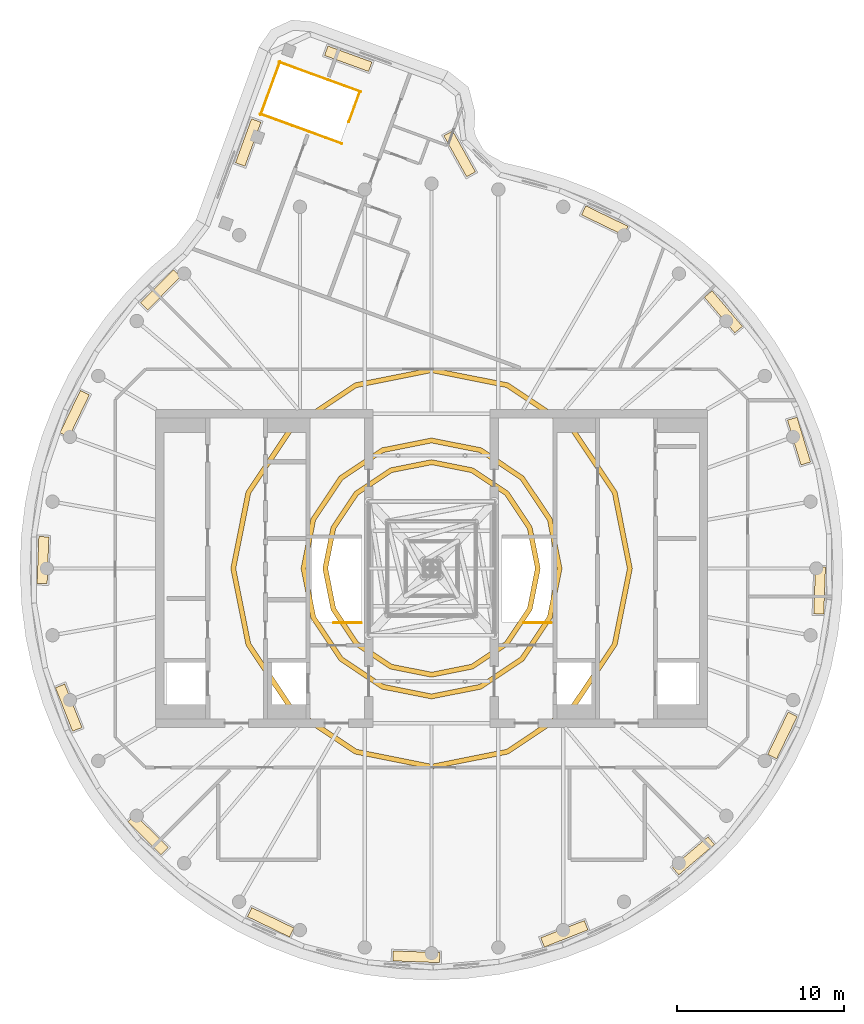
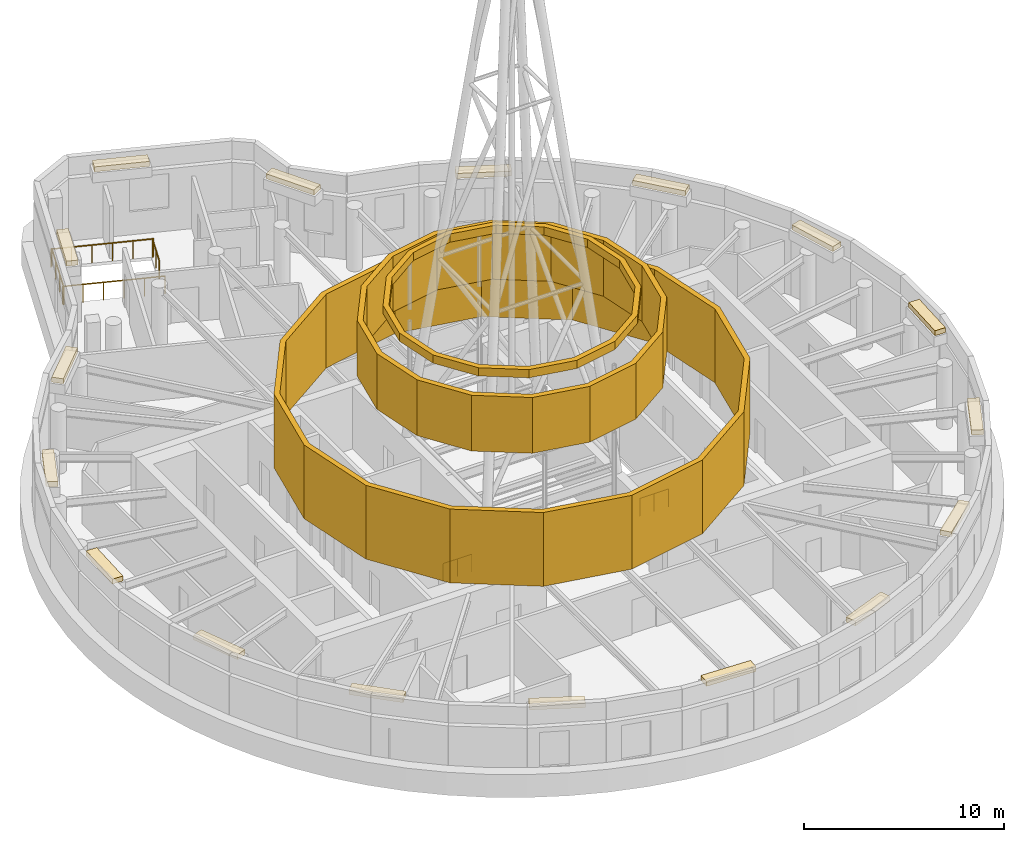
# One storey, part 16 of 17: 20 coverings, 6 railings.
"""IFC4 building model written with IfcOpenShell, lengths in metres."""

from ifc_helpers import new_model, si_unit, direction, frame, origin, origin_2d, place, context, subcontext, project, spatial, polyline, rectangle, circle, outline, extrude, material, layer, layer_set, type_object, element, save


model = new_model("IFC4")

# Units and contexts
model_context = context("Model", 3, precision=1e-05, world=origin(), true_north=direction((0.0, 1.0)))
body_context = subcontext(model_context, "Body", "Model", "MODEL_VIEW")
ifc_project = project(units=[si_unit("LENGTHUNIT", "METRE"), si_unit("AREAUNIT", "SQUARE_METRE"), si_unit("VOLUMEUNIT", "CUBIC_METRE"), si_unit("PLANEANGLEUNIT", "RADIAN"), si_unit("MASSUNIT", "GRAM", prefix="KILO")], contexts=[model_context])

# Site, building, storey
site_placement = place(None, origin())
site = spatial("IfcSite", under=ifc_project, at=site_placement, CompositionType="ELEMENT")
building_placement = place(site_placement, origin())
building = spatial("IfcBuilding", under=site, at=building_placement, Name="Tamarind Cross Interchange Tower", CompositionType="ELEMENT")
storey_placement = place(building_placement, frame((0.0, 0.0, 325.39990234375)))
storey = spatial("IfcBuildingStorey", under=building, at=storey_placement, Name="L80", CompositionType="ELEMENT", Elevation=325.39990234375)

# Coverings
ifc_material_1 = material(Name="Terracotta baguette cladding", Category="masonry")
ifc_layer = layer(ifc_material_1, 0.300048828125)
ifc_layer_set = layer_set([ifc_layer], Name="Terracotta baguette cladding")
covering_type_1 = type_object("IfcCoveringType", Name="Crown lantern screen", PredefinedType="CLADDING", material=ifc_layer_set)
covering_1_placement = place(storey_placement, frame((0.0, 0.0, 4.0)))
element("IfcCovering", 1, at=covering_1_placement, inside=storey, type_object=covering_type_1, Name="LNT-L80-OUT", PredefinedType="CLADDING", context=body_context, shape_type="SweptSolid", body=[
    extrude(outline(polyline([(12.0, 0.0), (11.086669921875, 4.59228515625), (8.4853515625, 8.4853515625), (4.59228515625, 11.086669921875), (0.0, 12.0), (-4.59228515625, 11.086669921875), (-8.4853515625, 8.4853515625), (-11.086669921875, 4.59228515625), (-12.0, 0.0), (-11.086669921875, -4.59228515625), (-8.4853515625, -8.4853515625), (-4.59228515625, -11.086669921875), (0.0, -12.0), (4.59228515625, -11.086669921875), (8.4853515625, -8.4853515625), (11.086669921875, -4.59228515625), (12.0, 0.0)]), holes=[polyline([(11.699951171875, 0.0), (10.809326171875, 4.477294921875), (8.273193359375, 8.273193359375), (4.477294921875, 10.809326171875), (0.0, 11.699951171875), (-4.477294921875, 10.809326171875), (-8.273193359375, 8.273193359375), (-10.809326171875, 4.477294921875), (-11.699951171875, 0.0), (-10.809326171875, -4.477294921875), (-8.273193359375, -8.273193359375), (-4.477294921875, -10.809326171875), (0.0, -11.699951171875), (4.477294921875, -10.809326171875), (8.273193359375, -8.273193359375), (10.809326171875, -4.477294921875), (11.699951171875, 0.0)])]), origin(), (0.0, 0.0, 1.0), 4.5),
])
covering_2_placement = place(storey_placement, frame((0.0, 0.0, 9.2001953125)))
element("IfcCovering", 2, at=covering_2_placement, inside=storey, type_object=covering_type_1, Name="LNT-L80-IN", PredefinedType="CLADDING", context=body_context, shape_type="SweptSolid", body=[
    extrude(outline(polyline([(7.800048828125, 0.0), (7.206298828125, 2.98486328125), (5.515380859375, 5.515380859375), (2.98486328125, 7.206298828125), (0.0, 7.800048828125), (-2.98486328125, 7.206298828125), (-5.515380859375, 5.515380859375), (-7.206298828125, 2.98486328125), (-7.800048828125, 0.0), (-7.206298828125, -2.98486328125), (-5.515380859375, -5.515380859375), (-2.98486328125, -7.206298828125), (0.0, -7.800048828125), (2.98486328125, -7.206298828125), (5.515380859375, -5.515380859375), (7.206298828125, -2.98486328125), (7.800048828125, 0.0)]), holes=[polyline([(7.5, 0.0), (6.92919921875, 2.8701171875), (5.30322265625, 5.30322265625), (2.8701171875, 6.92919921875), (0.0, 7.5), (-2.8701171875, 6.92919921875), (-5.30322265625, 5.30322265625), (-6.92919921875, 2.8701171875), (-7.5, 0.0), (-6.92919921875, -2.8701171875), (-5.30322265625, -5.30322265625), (-2.8701171875, -6.92919921875), (0.0, -7.5), (2.8701171875, -6.92919921875), (5.30322265625, -5.30322265625), (6.92919921875, -2.8701171875), (7.5, 0.0)])]), origin(), (0.0, 0.0, 1.0), 3.39990234375),
])
covering_3_placement = place(storey_placement, frame((0.0, 0.0, 12.900146484375)))
element("IfcCovering", 3, at=covering_3_placement, inside=storey, type_object=covering_type_1, Name="LNT-L80-COL", PredefinedType="CLADDING", context=body_context, shape_type="SweptSolid", body=[
    extrude(outline(polyline([(6.5, 0.0), (6.005126953125, 2.4873046875), (4.59619140625, 4.59619140625), (2.4873046875, 6.005126953125), (0.0, 6.5), (-2.4873046875, 6.005126953125), (-4.59619140625, 4.59619140625), (-6.005126953125, 2.4873046875), (-6.5, 0.0), (-6.005126953125, -2.4873046875), (-4.59619140625, -4.59619140625), (-2.4873046875, -6.005126953125), (0.0, -6.5), (2.4873046875, -6.005126953125), (4.59619140625, -4.59619140625), (6.005126953125, -2.4873046875), (6.5, 0.0)]), holes=[polyline([(6.199951171875, 0.0), (5.72802734375, 2.37255859375), (4.384033203125, 4.384033203125), (2.37255859375, 5.72802734375), (0.0, 6.199951171875), (-2.37255859375, 5.72802734375), (-4.384033203125, 4.384033203125), (-5.72802734375, 2.37255859375), (-6.199951171875, 0.0), (-5.72802734375, -2.37255859375), (-4.384033203125, -4.384033203125), (-2.37255859375, -5.72802734375), (0.0, -6.199951171875), (2.37255859375, -5.72802734375), (4.384033203125, -4.384033203125), (5.72802734375, -2.37255859375), (6.199951171875, 0.0)])]), origin(), (0.0, 0.0, 1.0), 0.5),
])
ifc_material_2 = material(Name="Planting soil and turf")
covering_type_2 = type_object("IfcCoveringType", Name="Planting bed", PredefinedType="USERDEFINED", material=ifc_material_2)
for number, where, z_axis, x_axis, name in (
    (4, (-4.978515625, 30.462890625, 4.60009765625), (0.0, 0.0, 1.0), (-0.939702171424, 0.341993902024, 0.0), "PLB-L80-00-00"),
    (5, (-10.957275390625, 25.45751953125, 4.60009765625), (0.0, 0.0, 1.0), (-0.341993902024, -0.939702171424, 0.0), "PLB-L80-01-00"),
    (6, (-16.196533203125, 16.6513671875, 4.60009765625), (0.0, 0.0, 1.0), (-0.704057148523, -0.710143317658, 0.0), "PLB-L80-02-00"),
    (7, (-21.32861328125, 9.243408203125, 4.60009765625), (0.0, 0.0, 1.0), (-0.435326231914, -0.900272776334, 0.0), "PLB-L80-02-01"),
    (8, (-23.22314453125, 0.495361328125, 4.60009765625), (0.0, 0.0, 1.0), (-0.037024696392, -0.999314350871, 0.0), "PLB-L80-02-02"),
    (9, (-21.68603515625, -8.318359375, 4.60009765625), (0.0, 0.0, 1.0), (0.367513773146, -0.930018078613, 0.0), "PLB-L80-02-03"),
    (10, (-16.94287109375, -15.90771484375, 4.60009765625), (0.0, 0.0, 1.0), (0.710143317658, -0.704057148523, 0.0), "PLB-L80-02-04"),
    (11, (-9.613037109375, -21.14990234375, 4.60009765625), (0.0, 0.0, 1.0), (0.900272776334, -0.435326231914, 0.0), "PLB-L80-02-05"),
    (12, (-0.905517578125, -23.207763671875, 4.60009765625), (0.0, 0.0, 1.0), (0.999314350871, -0.037024696392, 0.0), "PLB-L80-02-06"),
    (13, (7.936767578125, -21.836669921875, 4.60009765625), (0.0, 0.0, 1.0), (0.930018078613, 0.367513773146, 0.0), "PLB-L80-02-07"),
    (14, (15.64990234375, -17.177001953125, 4.60009765625), (0.0, 0.0, 1.0), (0.760295606781, 0.64957723968, 0.0), "PLB-L80-02-08"),
    (15, (20.97119140625, -9.982421875, 4.60009765625), (0.0, 0.0, 1.0), (0.435326231914, 0.900272776334, 0.0), "PLB-L80-02-09"),
    (16, (23.192626953125, -1.315673828125, 4.60009765625), (0.0, 0.0, 1.0), (0.037024696392, 0.999314350871, 0.0), "PLB-L80-02-10"),
    (17, (21.96240234375, 7.61181640625, 4.60009765625), (0.0, 0.0, 1.0), (-0.289458243079, 0.957190642199, 0.0), "PLB-L80-02-11"),
    (18, (17.443603515625, 15.337890625, 4.60009765625), (0.0, 0.0, 1.0), (-0.64957723968, 0.760295606781, 0.0), "PLB-L80-02-12"),
    (19, (10.35205078125, 20.79248046875, 4.60009765625), (0.0, 0.0, 1.0), (-0.900272776334, 0.435326231914, 0.0), "PLB-L80-02-13"),
    (20, (1.68017578125, 24.780517578125, 4.60009765625), (0.0, 0.0, 1.0), (-0.486026493314, 0.873944075898, 0.0), "PLB-L80-02-14"),
):
    element("IfcCovering", number, at=place(storey_placement, frame(where, z_axis=z_axis, x_axis=x_axis)), inside=storey, type_object=covering_type_2, Name=name, ObjectType="Planting bed", PredefinedType="USERDEFINED", context=body_context, shape_type="SweptSolid", body=[
        extrude(rectangle(XDim=2.800048828125, YDim=0.60009765625, at=origin_2d()), origin(), (0.0, 0.0, 1.0), 0.300048828125),
    ])

# Railings
ifc_material_3 = material(Name="Stair guard")
railing_type = type_object("IfcRailingType", Name="Stair guard", PredefinedType="GUARDRAIL", material=ifc_material_3)
railing_1_placement = place(storey_placement, frame((-4.199951171875, -3.25, 0.0)))
element("IfcRailing", 21, at=railing_1_placement, inside=storey, type_object=railing_type, Name="L80 ST1 top well guard 1", PredefinedType="GUARDRAIL", context=body_context, shape_type="SweptSolid", body=[
    extrude(circle(Radius=0.02392578125, at=origin_2d()), frame((0.0, 0.0, 1.076171875), z_axis=(-1.0, 0.0, 0.0), x_axis=(0.0, -1.0, 0.0)), (0.0, 0.0, 1.0), 1.650146484375),
    extrude(circle(Radius=0.02099609375, at=origin_2d()), origin(), (0.0, 0.0, 1.0), 1.052001953125),
    extrude(circle(Radius=0.02099609375, at=origin_2d()), frame((-0.8251953125, 0.0, 0.0)), (0.0, 0.0, 1.0), 1.052001953125),
    extrude(circle(Radius=0.02099609375, at=origin_2d()), frame((-1.650146484375, 0.0, 0.0)), (0.0, 0.0, 1.0), 1.052001953125),
])
railing_2_placement = place(storey_placement, frame((7.14990234375, -3.25, 0.0)))
element("IfcRailing", 22, at=railing_2_placement, inside=storey, type_object=railing_type, Name="L80 ST2 top well guard 1", PredefinedType="GUARDRAIL", context=body_context, shape_type="SweptSolid", body=[
    extrude(circle(Radius=0.02392578125, at=origin_2d()), frame((0.0, 0.0, 1.076171875), z_axis=(-1.0, 0.0, 0.0), x_axis=(0.0, -1.0, 0.0)), (0.0, 0.0, 1.0), 1.64990234375),
    extrude(circle(Radius=0.02099609375, at=origin_2d()), origin(), (0.0, 0.0, 1.0), 1.052001953125),
    extrude(circle(Radius=0.02099609375, at=origin_2d()), frame((-0.824951171875, 0.0, 0.0)), (0.0, 0.0, 1.0), 1.052001953125),
    extrude(circle(Radius=0.02099609375, at=origin_2d()), frame((-1.64990234375, 0.0, 0.0)), (0.0, 0.0, 1.0), 1.052001953125),
])
railing_3_placement = place(storey_placement, frame((-4.300048828125, 28.460205078125, 0.0)))
element("IfcRailing", 23, at=railing_3_placement, inside=storey, type_object=railing_type, Name="L80 ST4 top well guard 1", PredefinedType="GUARDRAIL", context=body_context, shape_type="SweptSolid", body=[
    extrude(circle(Radius=0.02392578125, at=origin_2d()), frame((0.0, 0.0, 1.076171875), z_axis=(-0.341897802808, -0.939737140074, 0.0), x_axis=(0.939737140074, -0.341897802808, 0.0)), (0.0, 0.0, 1.0), 1.900146484375),
    extrude(circle(Radius=0.02099609375, at=origin_2d()), origin(), (0.0, 0.0, 1.0), 1.052001953125),
    extrude(circle(Radius=0.02099609375, at=origin_2d()), frame((-0.32470703125, -0.892822265625, 0.0)), (0.0, 0.0, 1.0), 1.052001953125),
    extrude(circle(Radius=0.02099609375, at=origin_2d()), frame((-0.649658203125, -1.78564453125, 0.0)), (0.0, 0.0, 1.0), 1.052001953125),
])
for number, where, name in (
    (24, (-4.23583984375, 28.489990234375, 0.0), "L80 ST4 well guard 1"),
    (25, (-5.364501953125, 25.388916015625, 0.0), "L80 ST4 well guard 2"),
):
    element("IfcRailing", number, at=place(storey_placement, frame(where)), inside=storey, type_object=railing_type, Name=name, PredefinedType="GUARDRAIL", context=body_context, shape_type="SweptSolid", body=[
        extrude(circle(Radius=0.02392578125, at=origin_2d()), frame((0.0, 0.0, 1.076171875), z_axis=(-0.939705661002, 0.341984313502, 0.0), x_axis=(-0.341984313502, -0.939705661002, 0.0)), (0.0, 0.0, 1.0), 5.199951171875),
        extrude(circle(Radius=0.02099609375, at=origin_2d()), origin(), (0.0, 0.0, 1.0), 1.052001953125),
        extrude(circle(Radius=0.02099609375, at=origin_2d()), frame((-0.977294921875, 0.355712890625, 0.0)), (0.0, 0.0, 1.0), 1.052001953125),
        extrude(circle(Radius=0.02099609375, at=origin_2d()), frame((-1.95458984375, 0.71142578125, 0.0)), (0.0, 0.0, 1.0), 1.052001953125),
        extrude(circle(Radius=0.02099609375, at=origin_2d()), frame((-2.931884765625, 1.06689453125, 0.0)), (0.0, 0.0, 1.0), 1.052001953125),
        extrude(circle(Radius=0.02099609375, at=origin_2d()), frame((-3.9091796875, 1.422607421875, 0.0)), (0.0, 0.0, 1.0), 1.052001953125),
        extrude(circle(Radius=0.02099609375, at=origin_2d()), frame((-4.886474609375, 1.7783203125, 0.0)), (0.0, 0.0, 1.0), 1.052001953125),
    ])
railing_4_placement = place(storey_placement, frame((-9.058349609375, 30.29833984375, 0.0)))
element("IfcRailing", 26, at=railing_4_placement, inside=storey, type_object=railing_type, Name="L80 ST4 well guard 3", PredefinedType="GUARDRAIL", context=body_context, shape_type="SweptSolid", body=[
    extrude(circle(Radius=0.02392578125, at=origin_2d()), frame((0.0, 0.0, 1.076171875), z_axis=(-0.341939080165, -0.939722121404, 0.0), x_axis=(0.939722121404, -0.341939080165, 0.0)), (0.0, 0.0, 1.0), 3.39990234375),
    extrude(circle(Radius=0.02099609375, at=origin_2d()), origin(), (0.0, 0.0, 1.0), 1.052001953125),
    extrude(circle(Radius=0.02099609375, at=origin_2d()), frame((-0.387451171875, -1.06494140625, 0.0)), (0.0, 0.0, 1.0), 1.052001953125),
    extrude(circle(Radius=0.02099609375, at=origin_2d()), frame((-0.775146484375, -2.130126953125, 0.0)), (0.0, 0.0, 1.0), 1.052001953125),
    extrude(circle(Radius=0.02099609375, at=origin_2d()), frame((-1.16259765625, -3.195068359375, 0.0)), (0.0, 0.0, 1.0), 1.052001953125),
])

save(model, "model.ifc")
